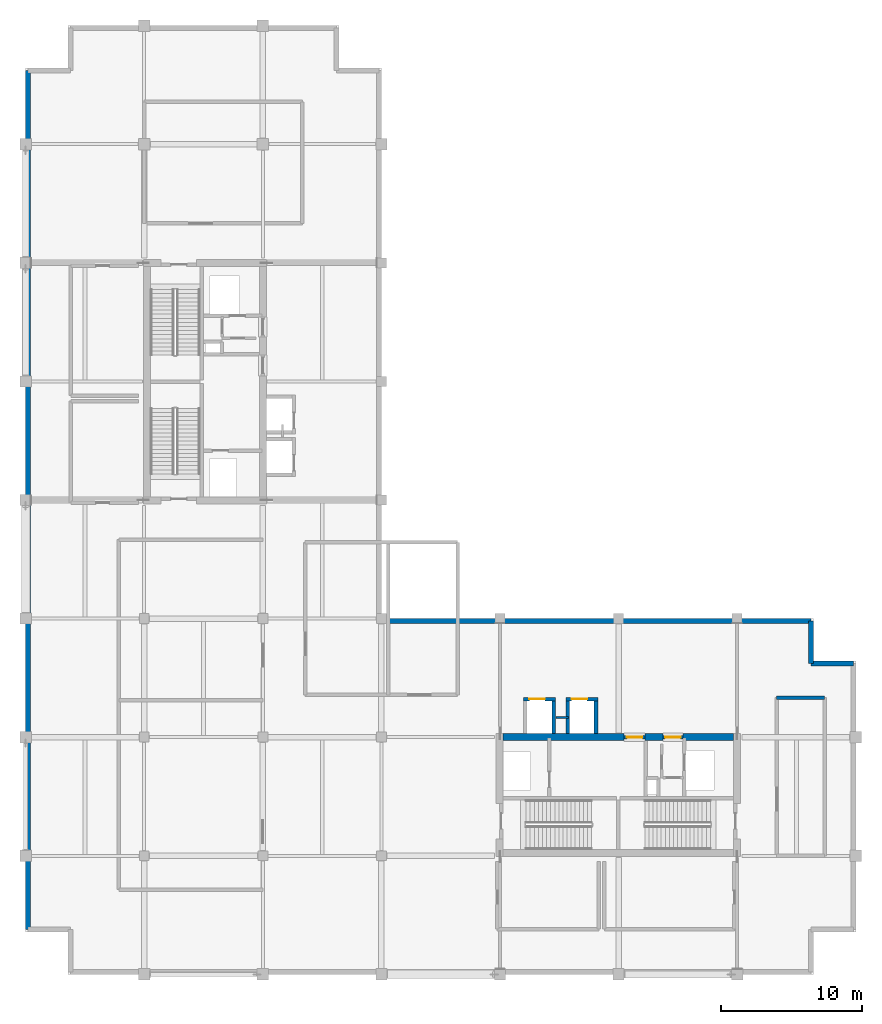
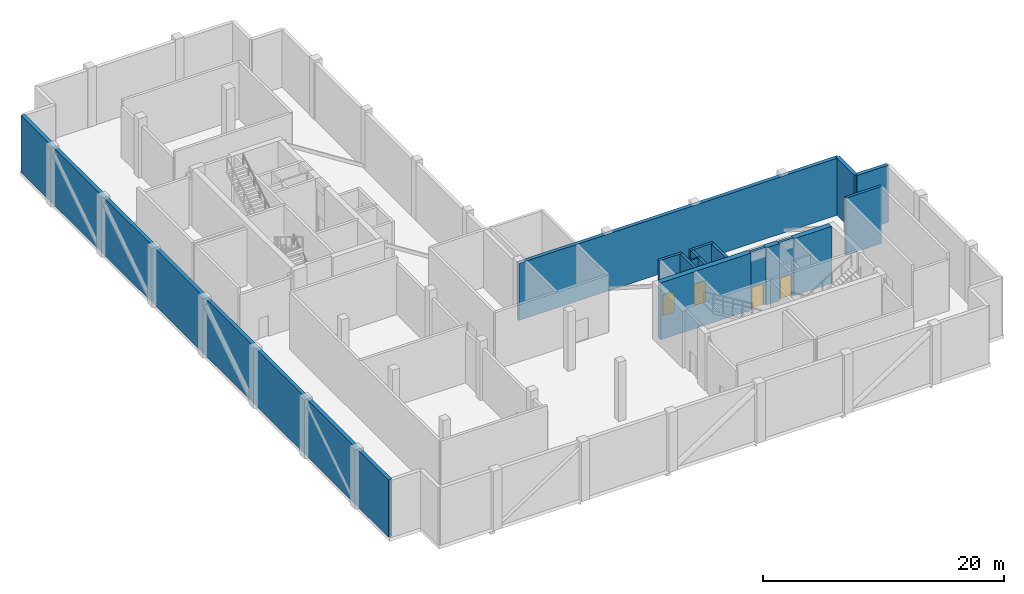
# One storey, part 10 of 14: 16 walls, 4 doors, 4 openings.
"""IFC4 building model written with IfcOpenShell, lengths in metres."""

from ifc_helpers import new_model, si_unit, direction, frame, frame_2d, origin, place, context, subcontext, project, spatial, rectangle, extrude, material, layer, layer_set, type_object, element, fill, save


model = new_model("IFC4")

# Units and contexts
model_context = context("Model", 3, precision=1e-05, world=origin(), true_north=direction((0.0, 1.0)))
body_context = subcontext(model_context, "Body", "Model", "MODEL_VIEW")
ifc_project = project(units=[si_unit("LENGTHUNIT", "METRE"), si_unit("AREAUNIT", "SQUARE_METRE"), si_unit("VOLUMEUNIT", "CUBIC_METRE"), si_unit("PLANEANGLEUNIT", "RADIAN"), si_unit("MASSUNIT", "GRAM", prefix="KILO")], contexts=[model_context])

# Site, building, storey
site_placement = place(None, origin())
site = spatial("IfcSite", under=ifc_project, at=site_placement, CompositionType="ELEMENT")
building_placement = place(site_placement, origin())
building = spatial("IfcBuilding", under=site, at=building_placement, Name="Koriwani Terraces Tower", CompositionType="ELEMENT")
storey_placement = place(building_placement, frame((0.0, 0.0, 294.800048828125)))
storey = spatial("IfcBuildingStorey", under=building, at=storey_placement, Name="L73", CompositionType="ELEMENT", Elevation=294.800048828125)

# Walls
ifc_material_1 = material(Name="Concrete C50/60", Category="concrete")
ifc_layer_1 = layer(ifc_material_1, 0.5, Name="Concrete C50/60")
ifc_layer_set_1 = layer_set([ifc_layer_1], Name="Concrete C50/60")
wall_type_1 = type_object("IfcWallType", Name="WALL_CORE_RC_500", PredefinedType="SHEAR", material=ifc_layer_set_1)
wall_1_placement = place(storey_placement, frame((42.199951171875, 25.199951171875, 0.0), z_axis=(0.0, 0.0, 1.0), x_axis=(1.0, 0.0, 0.0)))
element("IfcWall", 1, at=wall_1_placement, inside=storey, type_object=wall_type_1, Name="L73 East Split Core Shear Wall N1", PredefinedType="SHEAR", context=body_context, shape_type="SweptSolid", body=[
    extrude(rectangle(XDim=8.60009765625, YDim=0.5, at=frame_2d((4.300048828125, 0.0))), origin(), (0.0, 0.0, 1.0), 5.77001953125),
])
wall_2_placement = place(storey_placement, frame((52.280029296875, 25.199951171875, 0.0), z_axis=(0.0, 0.0, 1.0), x_axis=(1.0, 0.0, 0.0)))
element("IfcWall", 2, at=wall_2_placement, inside=storey, type_object=wall_type_1, Name="L73 East Split Core Shear Wall N2", PredefinedType="SHEAR", context=body_context, shape_type="SweptSolid", body=[
    extrude(rectangle(XDim=1.27001953125, YDim=0.5, at=frame_2d((0.635009765625, 0.0))), origin(), (0.0, 0.0, 1.0), 5.77001953125),
])
wall_3_placement = place(storey_placement, frame((54.949951171875, 25.199951171875, 0.0), z_axis=(0.0, 0.0, 1.0), x_axis=(1.0, 0.0, 0.0)))
element("IfcWall", 3, at=wall_3_placement, inside=storey, type_object=wall_type_1, Name="L73 East Split Core Shear Wall N3", PredefinedType="SHEAR", context=body_context, shape_type="SweptSolid", body=[
    extrude(rectangle(XDim=3.60009765625, YDim=0.5, at=frame_2d((1.800048828125, 0.0))), origin(), (0.0, 0.0, 1.0), 5.77001953125),
])
ifc_layer_2 = layer(ifc_material_1, 0.35009765625, Name="Concrete C50/60")
ifc_layer_set_2 = layer_set([ifc_layer_2], Name="Concrete C50/60")
wall_type_2 = type_object("IfcWallType", Name="WALL_EXT_BRUTALIST_350", PredefinedType="STANDARD", material=ifc_layer_set_2)
wall_4_placement = place(storey_placement, frame((8.574951171875, 11.574951171875, 0.0), z_axis=(0.0, 0.0, 1.0), x_axis=(0.0, 1.0, 0.0)))
element("IfcWall", 4, at=wall_4_placement, inside=storey, type_object=wall_type_2, Name="L73 Fair-Faced Brutalist Exterior Wall (W)", PredefinedType="STANDARD", context=body_context, shape_type="SweptSolid", body=[
    extrude(rectangle(XDim=60.85009765625, YDim=0.35009765625, at=frame_2d((30.425048828125, 0.0))), origin(), (0.0, 0.0, 1.0), 5.77001953125),
])
wall_5_placement = place(storey_placement, frame((33.425048828125, 33.425048828125, 0.0), z_axis=(0.0, 0.0, 1.0), x_axis=(1.0, 0.0, 0.0)))
element("IfcWall", 5, at=wall_5_placement, inside=storey, type_object=wall_type_2, Name="L73 Fair-Faced Brutalist Exterior Wall (NE)", PredefinedType="STANDARD", context=body_context, shape_type="SweptSolid", body=[
    extrude(rectangle(XDim=30.599853515625, YDim=0.35009765625, at=frame_2d((15.2998046875, 0.0))), origin(), (0.0, 0.0, 1.0), 5.77001953125),
])
for number, where, z_axis, x_axis, name in (
    (6, (64.02490234375, 33.425048828125, 0.0), (0.0, 0.0, 1.0), (0.0, -1.0, 0.0), "L73 Fair-Faced Brutalist Exterior Wall (N10)"),
    (7, (64.02490234375, 30.425048828125, 0.0), (0.0, 0.0, 1.0), (1.0, 0.0, 0.0), "L73 Fair-Faced Brutalist Exterior Wall (N11)"),
):
    element("IfcWall", number, at=place(storey_placement, frame(where, z_axis=z_axis, x_axis=x_axis)), inside=storey, type_object=wall_type_2, Name=name, PredefinedType="STANDARD", context=body_context, shape_type="SweptSolid", body=[
        extrude(rectangle(XDim=3.0, YDim=0.35009765625, at=frame_2d((1.5, 0.0))), origin(), (0.0, 0.0, 1.0), 5.77001953125),
    ])

# Wall, opening, door
ifc_material_2 = material(Name="Concrete C40/50", Category="concrete")
ifc_layer_3 = layer(ifc_material_2, 0.25, Name="Concrete C40/50")
ifc_layer_set_3 = layer_set([ifc_layer_3], Name="Concrete C40/50")
wall_type_3 = type_object("IfcWallType", Name="WALL_SHAFT_RATED_250", PredefinedType="SOLIDWALL", material=ifc_layer_set_3)
wall_6_placement = place(storey_placement, frame((50.800048828125, 25.199951171875, 0.0), z_axis=(0.0, 0.0, 1.0), x_axis=(1.0, 0.0, 0.0)))
wall_6 = element("IfcWall", 8, at=wall_6_placement, inside=storey, type_object=wall_type_3, Name="L73 Interior Wall WIN-CE-L73-NP", PredefinedType="SOLIDWALL", context=body_context, shape_type="SweptSolid", body=[
    extrude(rectangle(XDim=1.47998046875, YDim=0.25, at=frame_2d((0.739990234375, 0.0))), origin(), (0.0, 0.0, 1.0), 5.77001953125),
])
opening_1_placement = place(wall_6_placement, frame((0.179931640625, 0.0, 0.0)))
opening_1 = element("IfcOpeningElement", 9, at=opening_1_placement, cuts=wall_6, Name="Opening D-03", PredefinedType="OPENING", context=body_context, shape_type="SweptSolid", body=[
    extrude(rectangle(XDim=1.10009765625, YDim=2.14990234375, at=frame_2d((0.550048828125, 1.074951171875))), frame((0.0, 0.135009765625, 0.0), z_axis=(0.0, -1.0, 0.0), x_axis=(1.0, 0.0, 0.0)), (0.0, 0.0, 1.0), 0.27001953125),
])
ifc_material_3 = material(Name="Steel ASTM A572 Grade 50", Category="steel")
door_type_1 = type_object("IfcDoorType", Name="DOOR_STAIR_FIRE_1100X2150", OperationType="NOTDEFINED", PredefinedType="DOOR", material=ifc_material_3)
door_1_placement = place(opening_1_placement, origin())
door_1 = element("IfcDoor", 10, at=door_1_placement, inside=storey, type_object=door_type_1, Name="L73 East Firefighting Lobby Door", OperationType="SINGLE_SWING_LEFT", OverallHeight=2.14990234375, OverallWidth=1.10009765625, PredefinedType="DOOR", context=body_context, shape_type="SweptSolid", body=[
    extrude(rectangle(XDim=1.10009765625, YDim=2.14990234375, at=frame_2d((0.550048828125, 1.074951171875))), frame((0.0, 0.02490234375, 0.0), z_axis=(0.0, -1.0, 0.0), x_axis=(1.0, 0.0, 0.0)), (0.0, 0.0, 1.0), 0.050048828125),
])
fill(opening_1, door_1)

wall_7_placement = place(storey_placement, frame((53.550048828125, 25.199951171875, 0.0), z_axis=(0.0, 0.0, 1.0), x_axis=(1.0, 0.0, 0.0)))
wall_7 = element("IfcWall", 11, at=wall_7_placement, inside=storey, type_object=wall_type_3, Name="L73 Interior Wall WIN-CE-L73-NP2", PredefinedType="SOLIDWALL", context=body_context, shape_type="SweptSolid", body=[
    extrude(rectangle(XDim=1.39990234375, YDim=0.25, at=frame_2d((0.699951171875, 0.0))), origin(), (0.0, 0.0, 1.0), 5.77001953125),
])
opening_2_placement = place(wall_7_placement, frame((0.14990234375, 0.0, 0.0)))
opening_2 = element("IfcOpeningElement", 12, at=opening_2_placement, cuts=wall_7, Name="Opening D-03", PredefinedType="OPENING", context=body_context, shape_type="SweptSolid", body=[
    extrude(rectangle(XDim=1.10009765625, YDim=2.14990234375, at=frame_2d((0.550048828125, 1.074951171875))), frame((0.0, 0.135009765625, 0.0), z_axis=(0.0, -1.0, 0.0), x_axis=(1.0, 0.0, 0.0)), (0.0, 0.0, 1.0), 0.27001953125),
])
door_2_placement = place(opening_2_placement, origin())
door_2 = element("IfcDoor", 13, at=door_2_placement, inside=storey, type_object=door_type_1, Name="L73 East Goods Lift Lobby Door", OperationType="SINGLE_SWING_RIGHT", OverallHeight=2.14990234375, OverallWidth=1.10009765625, PredefinedType="DOOR", context=body_context, shape_type="SweptSolid", body=[
    extrude(rectangle(XDim=1.10009765625, YDim=2.14990234375, at=frame_2d((0.550048828125, 1.074951171875))), frame((0.0, 0.02490234375, 0.0), z_axis=(0.0, -1.0, 0.0), x_axis=(1.0, 0.0, 0.0)), (0.0, 0.0, 1.0), 0.050048828125),
])
fill(opening_2, door_2)

wall_8_placement = place(storey_placement, frame((43.675048828125, 27.89990234375, 0.0), z_axis=(0.0, 0.0, 1.0), x_axis=(1.0, 0.0, 0.0)))
wall_8 = element("IfcWall", 14, at=wall_8_placement, inside=storey, type_object=wall_type_3, Name="L73 Interior Wall WIN-LF-PE-H3-L73-F", PredefinedType="SOLIDWALL", context=body_context, shape_type="SweptSolid", body=[
    extrude(rectangle(XDim=2.25, YDim=0.25, at=frame_2d((1.125, 0.0))), origin(), (0.0, 0.0, 1.0), 5.77001953125),
])
opening_3_placement = place(wall_8_placement, frame((0.39990234375, 0.0, 0.0)))
opening_3 = element("IfcOpeningElement", 15, at=opening_3_placement, cuts=wall_8, Name="Opening LD-01", PredefinedType="OPENING", context=body_context, shape_type="SweptSolid", body=[
    extrude(rectangle(XDim=1.10009765625, YDim=2.14990234375, at=frame_2d((0.550048828125, 1.074951171875))), frame((0.0, 0.135009765625, 0.0), z_axis=(0.0, -1.0, 0.0), x_axis=(1.0, 0.0, 0.0)), (0.0, 0.0, 1.0), 0.27001953125),
])
door_type_2 = type_object("IfcDoorType", Name="DOOR_LIFT_LANDING_1100X2200", OperationType="NOTDEFINED", PredefinedType="DOOR", material=ifc_material_3)
door_3_placement = place(opening_3_placement, origin())
door_3 = element("IfcDoor", 16, at=door_3_placement, inside=storey, type_object=door_type_2, Name="L73 Passenger Lift PE-H3 Landing Door", OperationType="SLIDING_TO_LEFT", OverallHeight=2.14990234375, OverallWidth=1.10009765625, PredefinedType="DOOR", context=body_context, shape_type="SweptSolid", body=[
    extrude(rectangle(XDim=1.10009765625, YDim=2.14990234375, at=frame_2d((0.550048828125, 1.074951171875))), frame((0.0, 0.02490234375, 0.0), z_axis=(0.0, -1.0, 0.0), x_axis=(1.0, 0.0, 0.0)), (0.0, 0.0, 1.0), 0.050048828125),
])
fill(opening_3, door_3)

# Wall
wall_9_placement = place(storey_placement, frame((45.800048828125, 25.449951171875, 0.0), z_axis=(0.0, 0.0, 1.0), x_axis=(0.0, 1.0, 0.0)))
element("IfcWall", 17, at=wall_9_placement, inside=storey, type_object=wall_type_3, Name="L73 Interior Wall WIN-LF-PE-H3-L73-E", PredefinedType="SOLIDWALL", context=body_context, shape_type="SweptSolid", body=[
    extrude(rectangle(XDim=2.324951171875, YDim=0.25, at=frame_2d((1.16259765625, 0.0))), origin(), (0.0, 0.0, 1.0), 5.77001953125),
])

# Wall, opening, door
wall_10_placement = place(storey_placement, frame((46.675048828125, 27.89990234375, 0.0), z_axis=(0.0, 0.0, 1.0), x_axis=(1.0, 0.0, 0.0)))
wall_10 = element("IfcWall", 18, at=wall_10_placement, inside=storey, type_object=wall_type_3, Name="L73 Interior Wall WIN-LF-PE-H4-L73-F", PredefinedType="SOLIDWALL", context=body_context, shape_type="SweptSolid", body=[
    extrude(rectangle(XDim=2.25, YDim=0.25, at=frame_2d((1.125, 0.0))), origin(), (0.0, 0.0, 1.0), 5.77001953125),
])
opening_4_placement = place(wall_10_placement, frame((0.39990234375, 0.0, 0.0)))
opening_4 = element("IfcOpeningElement", 19, at=opening_4_placement, cuts=wall_10, Name="Opening LD-01", PredefinedType="OPENING", context=body_context, shape_type="SweptSolid", body=[
    extrude(rectangle(XDim=1.10009765625, YDim=2.14990234375, at=frame_2d((0.550048828125, 1.074951171875))), frame((0.0, 0.135009765625, 0.0), z_axis=(0.0, -1.0, 0.0), x_axis=(1.0, 0.0, 0.0)), (0.0, 0.0, 1.0), 0.27001953125),
])
door_4_placement = place(opening_4_placement, origin())
door_4 = element("IfcDoor", 20, at=door_4_placement, inside=storey, type_object=door_type_2, Name="L73 Passenger Lift PE-H4 Landing Door", OperationType="SLIDING_TO_LEFT", OverallHeight=2.14990234375, OverallWidth=1.10009765625, PredefinedType="DOOR", context=body_context, shape_type="SweptSolid", body=[
    extrude(rectangle(XDim=1.10009765625, YDim=2.14990234375, at=frame_2d((0.550048828125, 1.074951171875))), frame((0.0, 0.02490234375, 0.0), z_axis=(0.0, -1.0, 0.0), x_axis=(1.0, 0.0, 0.0)), (0.0, 0.0, 1.0), 0.050048828125),
])
fill(opening_4, door_4)

# Walls
for number, where, z_axis, x_axis, name in (
    (21, (46.800048828125, 25.449951171875, 0.0), (0.0, 0.0, 1.0), (0.0, 1.0, 0.0), "L73 Interior Wall WIN-LF-PE-H4-L73-W"),
    (22, (48.800048828125, 25.449951171875, 0.0), (0.0, 0.0, 1.0), (0.0, 1.0, 0.0), "L73 Interior Wall WIN-LF-PE-H4-L73-E"),
):
    element("IfcWall", number, at=place(storey_placement, frame(where, z_axis=z_axis, x_axis=x_axis)), inside=storey, type_object=wall_type_3, Name=name, PredefinedType="SOLIDWALL", context=body_context, shape_type="SweptSolid", body=[
        extrude(rectangle(XDim=2.324951171875, YDim=0.25, at=frame_2d((1.16259765625, 0.0))), origin(), (0.0, 0.0, 1.0), 5.77001953125),
    ])
wall_11_placement = place(storey_placement, frame((61.60009765625, 28.0, 0.0), z_axis=(0.0, 0.0, 1.0), x_axis=(1.0, 0.0, 0.0)))
element("IfcWall", 23, at=wall_11_placement, inside=storey, type_object=wall_type_3, Name="L73 Interior Wall WREF-E4-L73", PredefinedType="SOLIDWALL", context=body_context, shape_type="SweptSolid", body=[
    extrude(rectangle(XDim=3.39990234375, YDim=0.25, at=frame_2d((1.699951171875, 0.0))), origin(), (0.0, 0.0, 1.0), 5.77001953125),
])
ifc_material_4 = material(Name="Fire-Rated Acoustic Gypsum Partition", Category="masonry")
ifc_layer_4 = layer(ifc_material_4, 0.159912109375, Name="Fire-Rated Acoustic Gypsum Partition")
ifc_layer_set_4 = layer_set([ifc_layer_4], Name="Fire-Rated Acoustic Gypsum Partition")
wall_type_4 = type_object("IfcWallType", Name="WALL_SUITE_160", PredefinedType="PARTITIONING", material=ifc_layer_set_4)
wall_12_placement = place(storey_placement, frame((45.9599609375, 26.60009765625, 0.0), z_axis=(0.0, 0.0, 1.0), x_axis=(1.0, 0.0, 0.0)))
element("IfcWall", 24, at=wall_12_placement, inside=storey, type_object=wall_type_4, Name="L73 Interior Wall WIN-LF-PEH34-MID-L73", PredefinedType="PARTITIONING", context=body_context, shape_type="SweptSolid", body=[
    extrude(rectangle(XDim=0.880126953125, YDim=0.159912109375, at=frame_2d((0.43994140625, 0.0))), origin(), (0.0, 0.0, 1.0), 5.77001953125),
])

save(model, "model.ifc")
